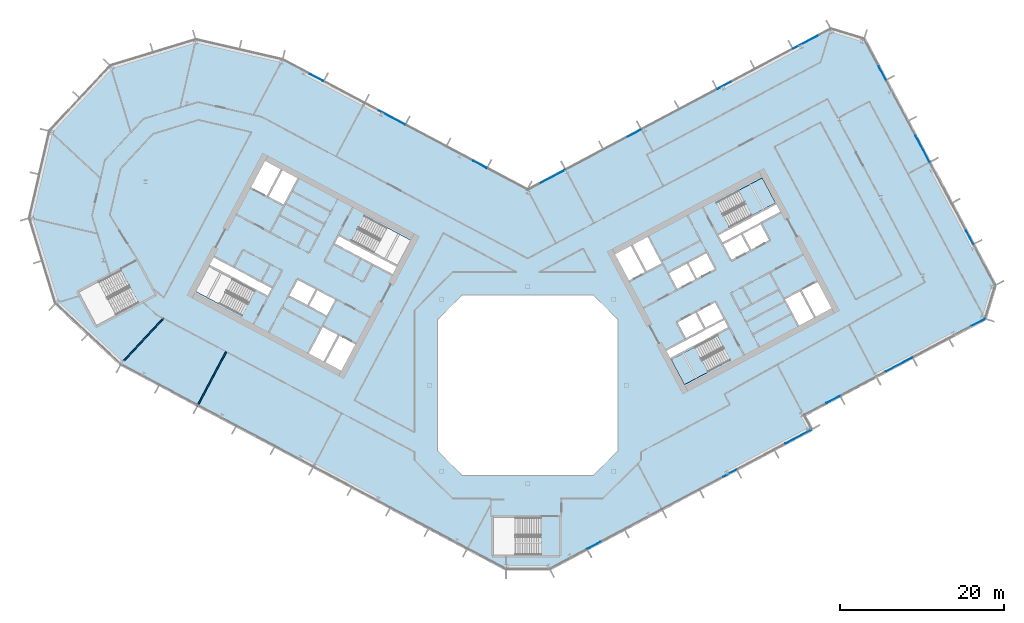
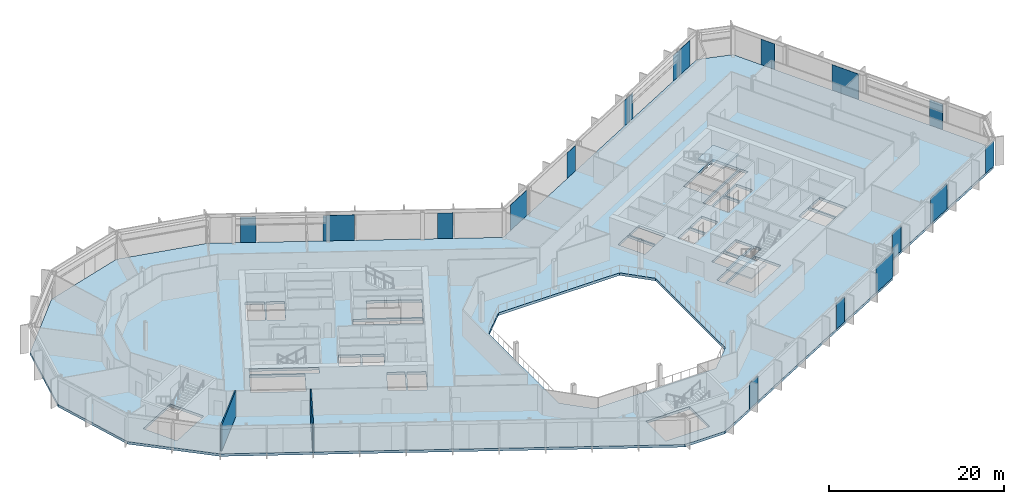
# One storey, part 12 of 28: 16 plates, 3 slabs, 2 walls, 7 elements without a shape of their own.
"""IFC4 building model written with IfcOpenShell, lengths in metres."""

from ifc_helpers import new_model, si_unit, direction, frame, frame_2d, origin, origin_2d, place, context, subcontext, project, spatial, polyline, rectangle, outline, extrude, material, layer, layer_set, type_object, element, aggregate, save


model = new_model("IFC4")

# Units and contexts
model_context = context("Model", 3, precision=1e-05, world=origin(), true_north=direction((0.0, 1.0)))
body_context = subcontext(model_context, "Body", "Model", "MODEL_VIEW")
ifc_project = project(units=[si_unit("LENGTHUNIT", "METRE"), si_unit("AREAUNIT", "SQUARE_METRE"), si_unit("VOLUMEUNIT", "CUBIC_METRE"), si_unit("PLANEANGLEUNIT", "RADIAN"), si_unit("MASSUNIT", "GRAM", prefix="KILO")], contexts=[model_context])

# Site, building, storey
site_placement = place(None, origin())
site = spatial("IfcSite", under=ifc_project, at=site_placement, CompositionType="ELEMENT")
building_placement = place(site_placement, origin())
building = spatial("IfcBuilding", under=site, at=building_placement, Name="Cormorant Relay Tower", CompositionType="ELEMENT")
storey_placement = place(building_placement, frame((0.0, 0.0, 122.199951171875)))
storey = spatial("IfcBuildingStorey", under=building, at=storey_placement, Name="L24", CompositionType="ELEMENT", Elevation=122.199951171875)

# Curtain wall, plates
ifc_material_1 = material(Name="Aluminium 6063-T6 anodised bronze", Category="aluminium")
ifc_layer_1 = layer(ifc_material_1, 0.199951171875)
ifc_layer_set_1 = layer_set([ifc_layer_1], Name="CW1 unitised bronze curtain wall with vertical fins")
curtain_wall_type = type_object("IfcCurtainWallType", Name="CW1 unitised bronze curtain wall with vertical fins", PredefinedType="NOTDEFINED", material=ifc_layer_set_1)
curtain_wall_1_placement = place(storey_placement, origin())
curtain_wall_1 = element("IfcCurtainWall", 1, at=curtain_wall_1_placement, inside=storey, type_object=curtain_wall_type, Name="CW1 curtain wall 2", PredefinedType="NOTDEFINED")
ifc_material_2 = material(Name="Tinted laminated glass", Category="glass")
ifc_layer_2 = layer(ifc_material_2, 0.0400390625)
ifc_layer_set_2 = layer_set([ifc_layer_2], Name="CW1 tinted vision panel 1800 module")
plate_type_1 = type_object("IfcPlateType", Name="CW1 tinted vision panel 1800 module", PredefinedType="CURTAIN_PANEL", material=ifc_layer_set_2)
plate_1_placement = place(storey_placement, frame((8.080810546875, -19.510009765625, 0.0), z_axis=(0.0, 0.0, 1.0), x_axis=(0.882947592859, 0.469471562786, 0.0)))
plate_1 = element("IfcPlate", 2, at=plate_1_placement, type_object=plate_type_1, Name="CW1 panel V01", PredefinedType="CURTAIN_PANEL", context=body_context, shape_type="SweptSolid", body=[
    extrude(rectangle(XDim=1.800048828125, YDim=0.0400390625, at=origin_2d()), origin(), (0.0, 0.0, 1.0), 3.550048828125),
])
plate_2_placement = place(storey_placement, frame((24.6064453125, -10.72314453125, 0.0), z_axis=(0.0, 0.0, 1.0), x_axis=(0.882947592859, 0.469471562786, 0.0)))
plate_2 = element("IfcPlate", 3, at=plate_2_placement, type_object=plate_type_1, Name="CW1 panel V04", PredefinedType="CURTAIN_PANEL", context=body_context, shape_type="SweptSolid", body=[
    extrude(rectangle(XDim=1.800048828125, YDim=0.0400390625, at=origin_2d()), origin(), (0.0, 0.0, 1.0), 3.550048828125),
])

curtain_wall_2_placement = place(storey_placement, origin())
curtain_wall_2 = element("IfcCurtainWall", 4, at=curtain_wall_2_placement, inside=storey, type_object=curtain_wall_type, Name="CW1 curtain wall 4", PredefinedType="NOTDEFINED")
plate_3_placement = place(storey_placement, frame((37.205810546875, -1.7587890625, 0.0), z_axis=(0.0, 0.0, 1.0), x_axis=(0.882947592859, 0.469471562786, 0.0)))
plate_3 = element("IfcPlate", 5, at=plate_3_placement, type_object=plate_type_1, Name="CW1 panel V01", PredefinedType="CURTAIN_PANEL", context=body_context, shape_type="SweptSolid", body=[
    extrude(rectangle(XDim=1.800048828125, YDim=0.0400390625, at=origin_2d()), origin(), (0.0, 0.0, 1.0), 3.550048828125),
])
plate_4_placement = place(storey_placement, frame((54.930908203125, 7.665771484375, 0.0), z_axis=(0.0, 0.0, 1.0), x_axis=(0.882947592859, 0.469471562786, 0.0)))
plate_4 = element("IfcPlate", 6, at=plate_4_placement, type_object=plate_type_1, Name="CW1 panel V05", PredefinedType="CURTAIN_PANEL", context=body_context, shape_type="SweptSolid", body=[
    extrude(rectangle(XDim=1.800048828125, YDim=0.0400390625, at=origin_2d()), origin(), (0.0, 0.0, 1.0), 3.550048828125),
])

curtain_wall_3_placement = place(storey_placement, origin())
curtain_wall_3 = element("IfcCurtainWall", 7, at=curtain_wall_3_placement, inside=storey, type_object=curtain_wall_type, Name="CW1 curtain wall 6", PredefinedType="NOTDEFINED")
plate_5_placement = place(storey_placement, frame((53.856201171875, 18.036865234375, 0.0), z_axis=(0.0, 0.0, 1.0), x_axis=(-0.469471562786, 0.882947592859, 0.0)))
plate_5 = element("IfcPlate", 8, at=plate_5_placement, type_object=plate_type_1, Name="CW1 panel V01", PredefinedType="CURTAIN_PANEL", context=body_context, shape_type="SweptSolid", body=[
    extrude(rectangle(XDim=1.800048828125, YDim=0.0400390625, at=origin_2d()), origin(), (0.0, 0.0, 1.0), 3.550048828125),
])
plate_6_placement = place(storey_placement, frame((43.21484375, 38.05029296875, 0.0), z_axis=(0.0, 0.0, 1.0), x_axis=(-0.469471562786, 0.882947592859, 0.0)))
plate_6 = element("IfcPlate", 9, at=plate_6_placement, type_object=plate_type_1, Name="CW1 panel V05", PredefinedType="CURTAIN_PANEL", context=body_context, shape_type="SweptSolid", body=[
    extrude(rectangle(XDim=1.800048828125, YDim=0.0400390625, at=origin_2d()), origin(), (0.0, 0.0, 1.0), 3.550048828125),
])

curtain_wall_4_placement = place(storey_placement, origin())
curtain_wall_4 = element("IfcCurtainWall", 10, at=curtain_wall_4_placement, inside=storey, type_object=curtain_wall_type, Name="CW1 curtain wall 8", PredefinedType="NOTDEFINED")
plate_7_placement = place(storey_placement, frame((23.937255859375, 36.5341796875, 0.0), z_axis=(0.0, 0.0, 1.0), x_axis=(-0.882947592859, -0.469471562786, 0.0)))
plate_7 = element("IfcPlate", 11, at=plate_7_placement, type_object=plate_type_1, Name="CW1 panel V03", PredefinedType="CURTAIN_PANEL", context=body_context, shape_type="SweptSolid", body=[
    extrude(rectangle(XDim=1.800048828125, YDim=0.0400390625, at=origin_2d()), origin(), (0.0, 0.0, 1.0), 3.550048828125),
])
plate_8_placement = place(storey_placement, frame((12.981201171875, 30.708984375, 0.0), z_axis=(0.0, 0.0, 1.0), x_axis=(-0.882947592859, -0.469471562786, 0.0)))
plate_8 = element("IfcPlate", 12, at=plate_8_placement, type_object=plate_type_1, Name="CW1 panel V05", PredefinedType="CURTAIN_PANEL", context=body_context, shape_type="SweptSolid", body=[
    extrude(rectangle(XDim=1.800048828125, YDim=0.0400390625, at=origin_2d()), origin(), (0.0, 0.0, 1.0), 3.550048828125),
])

curtain_wall_5_placement = place(storey_placement, origin())
curtain_wall_5 = element("IfcCurtainWall", 13, at=curtain_wall_5_placement, inside=storey, type_object=curtain_wall_type, Name="CW1 curtain wall 9", PredefinedType="NOTDEFINED")
plate_9_placement = place(storey_placement, frame((-5.830322265625, 26.90673828125, 0.0), z_axis=(0.0, 0.0, 1.0), x_axis=(-0.882947592859, 0.469471562786, 0.0)))
plate_9 = element("IfcPlate", 14, at=plate_9_placement, type_object=plate_type_1, Name="CW1 panel V01", PredefinedType="CURTAIN_PANEL", context=body_context, shape_type="SweptSolid", body=[
    extrude(rectangle(XDim=1.800048828125, YDim=0.0400390625, at=origin_2d()), origin(), (0.0, 0.0, 1.0), 3.550048828125),
])
plate_10_placement = place(storey_placement, frame((-25.746337890625, 37.49609375, 0.0), z_axis=(0.0, 0.0, 1.0), x_axis=(-0.882947592859, 0.469471562786, 0.0)))
plate_10 = element("IfcPlate", 15, at=plate_10_placement, type_object=plate_type_1, Name="CW1 panel V05", PredefinedType="CURTAIN_PANEL", context=body_context, shape_type="SweptSolid", body=[
    extrude(rectangle(XDim=1.800048828125, YDim=0.0400390625, at=origin_2d()), origin(), (0.0, 0.0, 1.0), 3.550048828125),
])

# Plate
ifc_material_3 = material(Name="Tinted laminated glass", Category="glass")
ifc_layer_3 = layer(ifc_material_3, 0.0400390625)
ifc_layer_set_3 = layer_set([ifc_layer_3], Name="CW1 tinted vision panel 3600 module")
plate_type_2 = type_object("IfcPlateType", Name="CW1 tinted vision panel 3600 module", PredefinedType="CURTAIN_PANEL", material=ifc_layer_set_3)
plate_11_placement = place(storey_placement, frame((33.00146484375, -6.259521484375, 0.0), z_axis=(0.0, 0.0, 1.0), x_axis=(0.882947592859, 0.469471562786, 0.0)))
plate_11 = element("IfcPlate", 16, at=plate_11_placement, type_object=plate_type_2, Name="CW1 panel V06", PredefinedType="CURTAIN_PANEL", context=body_context, shape_type="SweptSolid", body=[
    extrude(rectangle(XDim=3.60009765625, YDim=0.0400390625, at=origin_2d()), origin(), (0.0, 0.0, 1.0), 3.550048828125),
])

aggregate(curtain_wall_1, [plate_1, plate_2, plate_11])

plate_12_placement = place(storey_placement, frame((45.240478515625, 2.513427734375, 0.0), z_axis=(0.0, 0.0, 1.0), x_axis=(0.882947592859, 0.469471562786, 0.0)))
plate_12 = element("IfcPlate", 17, at=plate_12_placement, type_object=plate_type_2, Name="CW1 panel V03", PredefinedType="CURTAIN_PANEL", context=body_context, shape_type="SweptSolid", body=[
    extrude(rectangle(XDim=3.60009765625, YDim=0.0400390625, at=origin_2d()), origin(), (0.0, 0.0, 1.0), 3.550048828125),
])

aggregate(curtain_wall_2, [plate_3, plate_12, plate_4])

plate_13_placement = place(storey_placement, frame((48.113037109375, 28.83837890625, 0.0), z_axis=(0.0, 0.0, 1.0), x_axis=(-0.469471562786, 0.882947592859, 0.0)))
plate_13 = element("IfcPlate", 18, at=plate_13_placement, type_object=plate_type_2, Name="CW1 panel V03", PredefinedType="CURTAIN_PANEL", context=body_context, shape_type="SweptSolid", body=[
    extrude(rectangle(XDim=3.60009765625, YDim=0.0400390625, at=origin_2d()), origin(), (0.0, 0.0, 1.0), 3.550048828125),
])

aggregate(curtain_wall_3, [plate_5, plate_13, plate_6])

plate_14_placement = place(storey_placement, frame((33.96630859375, 41.86669921875, 0.0), z_axis=(0.0, 0.0, 1.0), x_axis=(-0.882947592859, -0.469471562786, 0.0)))
plate_14 = element("IfcPlate", 19, at=plate_14_placement, type_object=plate_type_2, Name="CW1 panel V01", PredefinedType="CURTAIN_PANEL", context=body_context, shape_type="SweptSolid", body=[
    extrude(rectangle(XDim=3.60009765625, YDim=0.0400390625, at=origin_2d()), origin(), (0.0, 0.0, 1.0), 3.550048828125),
])

plate_15_placement = place(storey_placement, frame((2.9521484375, 25.37646484375, 0.0), z_axis=(0.0, 0.0, 1.0), x_axis=(-0.882947592859, -0.469471562786, 0.0)))
plate_15 = element("IfcPlate", 20, at=plate_15_placement, type_object=plate_type_2, Name="CW1 panel V07", PredefinedType="CURTAIN_PANEL", context=body_context, shape_type="SweptSolid", body=[
    extrude(rectangle(XDim=3.60009765625, YDim=0.0400390625, at=origin_2d()), origin(), (0.0, 0.0, 1.0), 3.550048828125),
])

aggregate(curtain_wall_4, [plate_14, plate_7, plate_8, plate_15])

plate_16_placement = place(storey_placement, frame((-16.5830078125, 32.6240234375, 0.0), z_axis=(0.0, 0.0, 1.0), x_axis=(-0.882947592859, 0.469471562786, 0.0)))
plate_16 = element("IfcPlate", 21, at=plate_16_placement, type_object=plate_type_2, Name="CW1 panel V03", PredefinedType="CURTAIN_PANEL", context=body_context, shape_type="SweptSolid", body=[
    extrude(rectangle(XDim=3.60009765625, YDim=0.0400390625, at=origin_2d()), origin(), (0.0, 0.0, 1.0), 3.550048828125),
])

aggregate(curtain_wall_5, [plate_9, plate_16, plate_10])

# Stair, slab
ifc_material_4 = material(Name="Concrete 40 MPa", Category="concrete")
stair_type = type_object("IfcStairType", Name="Exit stair 1500", PredefinedType="HALF_TURN_STAIR", material=ifc_material_4)
stair_1_placement = place(storey_placement, origin())
stair_1 = element("IfcStair", 22, at=stair_1_placement, inside=storey, type_object=stair_type, Name="L24 Stair", PredefinedType="HALF_TURN_STAIR")
ifc_material_5 = material(Name="Concrete 40 MPa", Category="concrete")
ifc_layer_4 = layer(ifc_material_5, 0.199951171875)
ifc_layer_set_4 = layer_set([ifc_layer_4], Name="Exit stair landing 200")
slab_type_1 = type_object("IfcSlabType", Name="Exit stair landing 200", PredefinedType="LANDING", material=ifc_layer_set_4)
slab_1_placement = place(storey_placement, frame((0.0, 0.0, 1.800048828125)))
slab_1 = element("IfcSlab", 23, at=slab_1_placement, type_object=slab_type_1, Name="B1 landing 1", PredefinedType="LANDING", context=body_context, shape_type="SweptSolid", body=[
    extrude(outline(polyline([(20.36767578125, 4.6572265625), (17.48046875, 3.1220703125), (19.10009765625, 0.075927734375), (21.9873046875, 1.611083984375), (20.36767578125, 4.6572265625)])), origin(), (0.0, 0.0, 1.0), 0.199951171875),
])
aggregate(stair_1, [slab_1])

stair_2_placement = place(storey_placement, origin())
stair_2 = element("IfcStair", 24, at=stair_2_placement, inside=storey, type_object=stair_type, Name="L24 Stair", PredefinedType="HALF_TURN_STAIR")
slab_2_placement = place(storey_placement, frame((0.0, 0.0, 1.800048828125)))
slab_2 = element("IfcSlab", 25, at=slab_2_placement, type_object=slab_type_1, Name="B2 landing 1", PredefinedType="LANDING", context=body_context, shape_type="SweptSolid", body=[
    extrude(outline(polyline([(27.3115234375, 20.6943359375), (30.19873046875, 22.2294921875), (28.5791015625, 25.275634765625), (25.69189453125, 23.740478515625), (27.3115234375, 20.6943359375)])), origin(), (0.0, 0.0, 1.0), 0.199951171875),
])
aggregate(stair_2, [slab_2])

# Slab
ifc_material_6 = material(Name="Concrete 40 MPa", Category="concrete")
ifc_layer_5 = layer(ifc_material_6, 0.360107421875)
ifc_layer_set_5 = layer_set([ifc_layer_5], Name="Flat plate 360")
slab_type_2 = type_object("IfcSlabType", Name="Flat plate 360", PredefinedType="FLOOR", material=ifc_layer_set_5)
slab_3_placement = place(storey_placement, frame((0.0, 0.0, -0.35986328125)))
element("IfcSlab", 26, at=slab_3_placement, inside=storey, type_object=slab_type_2, Name="Floor slab L24", PredefinedType="FLOOR", context=body_context, shape_type="SweptSolid", body=[
    extrude(outline(polyline([(-60.7197265625, 20.393310546875), (-58.2744140625, 30.985107421875), (-50.86083984375, 38.935302734375), (-40.465576171875, 42.11328125), (-29.873779296875, 39.668212890625), (0.0, 23.783935546875), (36.937255859375, 43.423828125), (40.99462890625, 42.18359375), (56.95654296875, 12.1630859375), (55.71630859375, 8.10595703125), (33.642578125, -3.630859375), (34.581298828125, -5.396728515625), (2.648681640625, -22.37548828125), (-2.648681640625, -22.37548828125), (-49.591552734375, 2.584228515625), (-57.541748046875, 9.997802734375), (-60.7197265625, 20.393310546875)]), holes=[polyline([(11.0, -8.0), (11.0, 8.0), (8.0, 11.0), (-8.0, 11.0), (-11.0, 8.0), (-11.0, -8.0), (-8.0, -11.0), (8.0, -11.0), (11.0, -8.0)]), polyline([(-4.199951171875, -16.125), (-4.199951171875, -20.675048828125), (1.60009765625, -20.675048828125), (1.60009765625, -16.125), (-4.199951171875, -16.125)]), polyline([(-22.95458984375, 6.03271484375), (-24.668212890625, 2.81005859375), (-22.725830078125, 1.777099609375), (-21.01220703125, 5.0), (-23.04296875, 6.07958984375), (-22.95458984375, 6.03271484375)]), polyline([(-24.985595703125, 7.112548828125), (-26.69921875, 3.889892578125), (-24.844970703125, 2.90380859375), (-23.13134765625, 6.126708984375), (-23.04296875, 6.07958984375), (-24.985595703125, 7.112548828125)]), polyline([(-24.481201171875, 8.48681640625), (-23.448486328125, 10.42919921875), (-25.656005859375, 11.602783203125), (-26.688720703125, 9.660400390625), (-24.481201171875, 8.48681640625)]), polyline([(-49.57861328125, 14.0537109375), (-54.69970703125, 11.330810546875), (-52.563720703125, 7.3134765625), (-47.442626953125, 10.036376953125), (-49.57861328125, 14.0537109375)]), polyline([(-25.83251953125, 11.69677734375), (-28.039794921875, 12.870361328125), (-29.07275390625, 10.927978515625), (-26.865234375, 9.75439453125), (-25.83251953125, 11.69677734375)]), polyline([(-38.847900390625, 14.483154296875), (-40.46728515625, 11.43701171875), (-34.860595703125, 8.455810546875), (-33.240966796875, 11.502197265625), (-38.847900390625, 14.483154296875)]), polyline([(-38.260986328125, 15.5869140625), (-38.75390625, 14.659912109375), (-31.690185546875, 10.904052734375), (-31.197265625, 11.8310546875), (-38.260986328125, 15.5869140625)]), polyline([(14.3056640625, 13.779052734375), (12.592041015625, 17.001708984375), (10.649658203125, 15.968994140625), (12.36328125, 12.74609375), (14.39404296875, 13.825927734375), (14.3056640625, 13.779052734375)]), polyline([(16.33642578125, 14.85888671875), (14.622802734375, 18.08154296875), (12.768798828125, 17.095703125), (14.482421875, 13.872802734375), (14.39404296875, 13.825927734375), (16.33642578125, 14.85888671875)]), polyline([(-16.481689453125, 13.520263671875), (-15.989013671875, 14.447509765625), (-23.052490234375, 18.203125), (-23.54541015625, 17.276123046875), (-16.481689453125, 13.520263671875)]), polyline([(-21.501708984375, 17.605224609375), (-15.89501953125, 14.6240234375), (-14.275390625, 17.670166015625), (-19.882080078125, 20.6513671875), (-21.501708984375, 17.605224609375)]), polyline([(-31.611572265625, 22.980712890625), (-29.75732421875, 21.99462890625), (-28.043701171875, 25.217529296875), (-29.89794921875, 26.203369140625), (-31.611572265625, 22.980712890625)]), polyline([(-32.01708984375, 27.330078125), (-33.73046875, 24.107421875), (-31.7880859375, 23.074462890625), (-30.074462890625, 26.29736328125), (-32.01708984375, 27.330078125)]), polyline([(17.48046875, 3.1220703125), (19.10009765625, 0.07568359375), (24.706787109375, 3.056884765625), (23.087158203125, 6.10302734375), (17.48046875, 3.1220703125)]), polyline([(16.8935546875, 4.2255859375), (17.386474609375, 3.298583984375), (24.4501953125, 7.054443359375), (23.957275390625, 7.9814453125), (16.8935546875, 4.2255859375)]), polyline([(20.446533203125, 8.8330078125), (18.239013671875, 7.6591796875), (19.27197265625, 5.716796875), (21.479248046875, 6.890380859375), (20.446533203125, 8.8330078125)]), polyline([(21.656005859375, 6.984375), (23.86328125, 8.158203125), (22.830322265625, 10.1005859375), (20.623046875, 8.927001953125), (21.656005859375, 6.984375)]), polyline([(33.197021484375, 11.478515625), (31.3427734375, 10.49267578125), (33.056396484375, 7.27001953125), (34.910400390625, 8.255859375), (33.197021484375, 11.478515625)]), polyline([(33.37353515625, 11.572509765625), (35.087158203125, 8.349609375), (37.029541015625, 9.382568359375), (35.31591796875, 12.605224609375), (33.37353515625, 11.572509765625)]), polyline([(17.19384765625, 13.67236328125), (18.2265625, 11.72998046875), (20.43408203125, 12.903564453125), (19.401123046875, 14.84619140625), (17.19384765625, 13.67236328125)]), polyline([(20.610595703125, 12.99755859375), (22.81787109375, 14.171142578125), (21.78515625, 16.113525390625), (19.57763671875, 14.93994140625), (20.610595703125, 12.99755859375)]), polyline([(26.023193359375, 18.3671875), (23.81591796875, 17.193359375), (24.8486328125, 15.2509765625), (27.05615234375, 16.424560546875), (26.023193359375, 18.3671875)]), polyline([(29.440185546875, 17.692138671875), (28.4072265625, 19.634765625), (26.19970703125, 18.4609375), (27.232666015625, 16.5185546875), (29.440185546875, 17.692138671875)]), polyline([(30.78564453125, 21.125732421875), (30.29248046875, 22.052978515625), (23.22900390625, 18.297119140625), (23.721923828125, 17.3701171875), (30.78564453125, 21.125732421875)]), polyline([(24.592041015625, 19.248291015625), (30.19873046875, 22.2294921875), (28.5791015625, 25.275634765625), (22.972412109375, 22.29443359375), (24.592041015625, 19.248291015625)])]), origin(), (0.0, 0.0, 1.0), 0.35986328125),
])

# Walls
ifc_material_7 = material(Name="Gypsum board partition")
ifc_layer_6 = layer(ifc_material_7, 0.14990234375)
ifc_layer_set_6 = layer_set([ifc_layer_6], Name="Tenant partition 150")
wall_type = type_object("IfcWallType", Name="Tenant partition 150", PredefinedType="PARTITIONING", material=ifc_layer_set_6)
wall_1_placement = place(storey_placement, frame((-44.402099609375, 8.14892578125, 0.0), z_axis=(0.0, 0.0, 1.0), x_axis=(-0.682039957921, -0.731314908777, 0.0)))
element("IfcWall", 27, at=wall_1_placement, inside=storey, type_object=wall_type, Name="wall/L24/part/011", PredefinedType="PARTITIONING", context=body_context, shape_type="SweptSolid", body=[
    extrude(rectangle(XDim=7.0654296875, YDim=0.14990234375, at=frame_2d((3.53271484375, 0.0))), origin(), (0.0, 0.0, 1.0), 3.64013671875),
])
wall_2_placement = place(storey_placement, frame((-36.751953125, 4.08203125, 0.0), z_axis=(0.0, 0.0, 1.0), x_axis=(-0.46955237308, -0.88290462052, 0.0)))
element("IfcWall", 28, at=wall_2_placement, inside=storey, type_object=wall_type, Name="wall/L24/part/012", PredefinedType="PARTITIONING", context=body_context, shape_type="SweptSolid", body=[
    extrude(rectangle(XDim=7.550048828125, YDim=0.14990234375, at=frame_2d((3.77490234375, 0.0))), origin(), (0.0, 0.0, 1.0), 3.64013671875),
])

save(model, "model.ifc")
